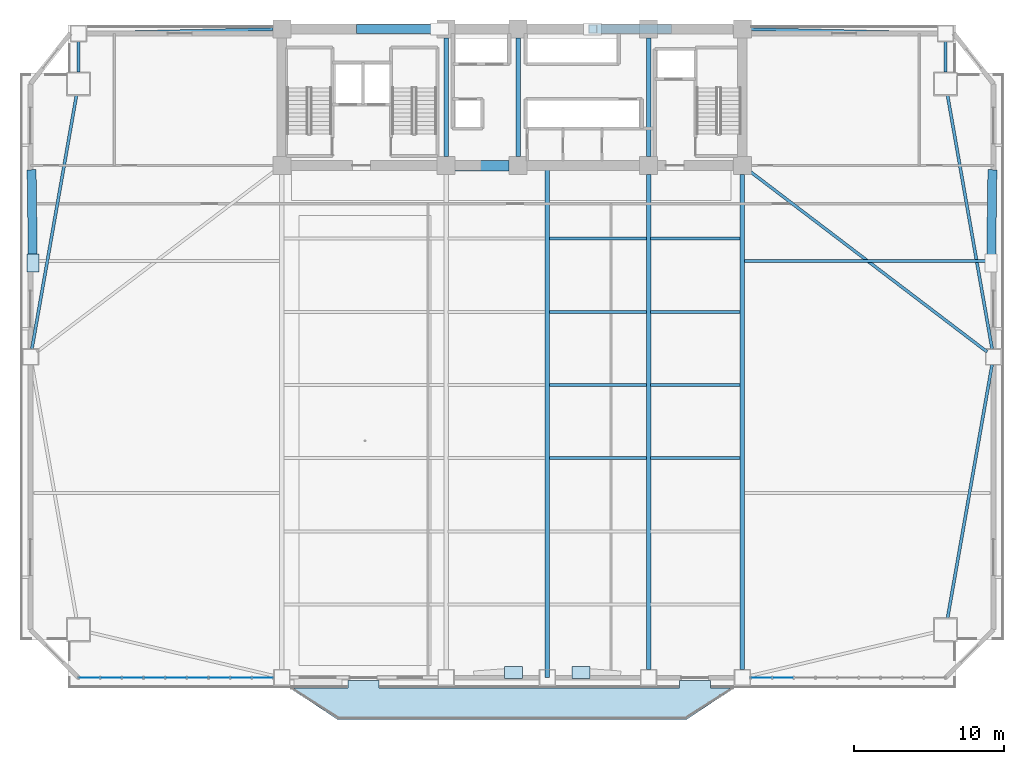
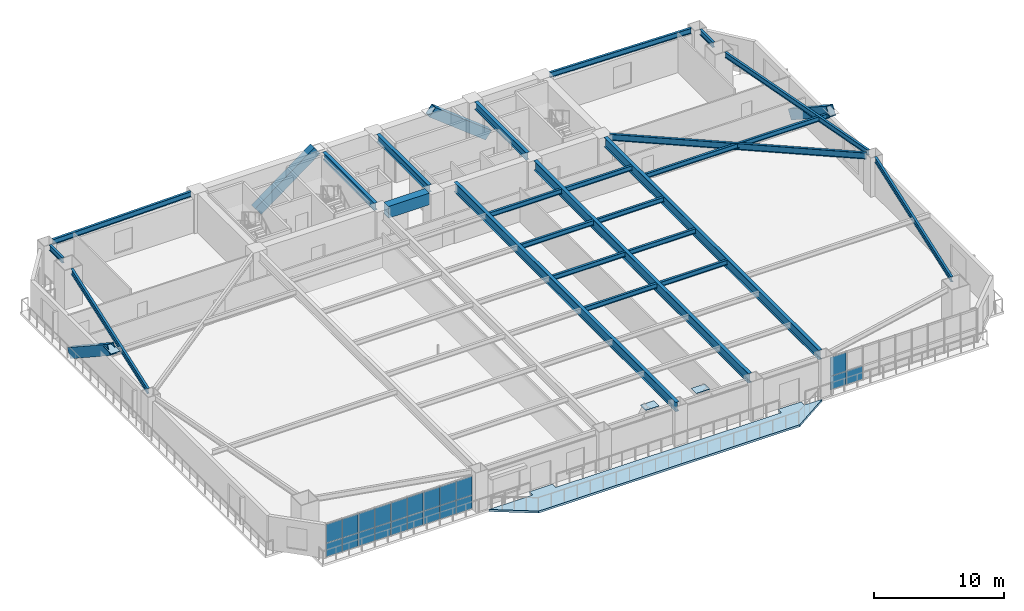
# One storey, part 7 of 17: 24 beams, 24 plates, 4 members, 1 slab, 2 elements without a shape of their own.
"""IFC4 building model written with IfcOpenShell, lengths in metres."""

import ifcopenshell
import ifcopenshell.guid

model = None  # the IFC model being written
_history = None  # IfcOwnerHistory: only IFC2X3 demands one
_inside = {}  # id of a spatial element -> (the spatial element, [elements in it])
_under = {}  # id of a project, library or spatial element -> (it, [spatial elements below it])
_declared = {}  # id of a project -> (the project, [libraries it declares])
_typed = {}  # id of a type object -> (the type object, [elements of that type])
_made_of = {}  # id of a material, layer set ... -> (it, [elements and type objects made of it])


def new_model(schema):
    """Start an empty IFC model of exactly this schema.

    Asked for "IFC4X3", IfcOpenShell would pick the latest addendum, in which some entities
    have other attributes; the version numbers below select the first issue.
    IFC2X3 requires an IfcOwnerHistory on every rooted entity: one is made here for all.
    """
    global model, _history
    if schema == "IFC4X3":
        model = ifcopenshell.file(schema_version=(4, 3, 0, 0))
    else:
        model = ifcopenshell.file(schema=schema)
    _inside.clear()
    _under.clear()
    _declared.clear()
    _typed.clear()
    _made_of.clear()
    _history = None
    if model.schema == "IFC2X3":
        org = make("IfcOrganization", Name="unknown")
        user = make(
            "IfcPersonAndOrganization",
            ThePerson=make("IfcPerson", FamilyName="unknown"),
            TheOrganization=org,
        )
        app = make(
            "IfcApplication",
            ApplicationDeveloper=org,
            Version="unknown",
            ApplicationFullName="unknown",
            ApplicationIdentifier="unknown",
        )
        _history = make(
            "IfcOwnerHistory",
            OwningUser=user,
            OwningApplication=app,
            ChangeAction="ADDED",
            CreationDate=0,
        )
    return model


def make(cls, **values):
    """One entity of the class cls with the attributes given. An attribute that is None is left unset."""
    return model.create_entity(
        cls, **{name: value for name, value in values.items() if value is not None}
    )


def rooted(cls, **values):
    """An entity with a GlobalId (a new one), such as an element, a storey or a relation."""
    return make(cls, GlobalId=ifcopenshell.guid.new(), OwnerHistory=_history, **values)


def si_unit(unit_type, name, prefix=None):
    """IfcSIUnit, for example si_unit("LENGTHUNIT", "METRE", prefix="MILLI")."""
    return make("IfcSIUnit", UnitType=unit_type, Prefix=prefix, Name=name)


def assignment(units):
    """IfcUnitAssignment: the units of a project."""
    return None if units is None else make("IfcUnitAssignment", Units=units)


def point(xyz):
    """IfcCartesianPoint."""
    return None if xyz is None else make("IfcCartesianPoint", Coordinates=xyz)


def direction(xyz):
    """IfcDirection."""
    return None if xyz is None else make("IfcDirection", DirectionRatios=xyz)


def frame(location, z_axis=None, x_axis=None):
    """IfcAxis2Placement3D, a coordinate frame: its origin and axes. An axis left out is left unset."""
    return make(
        "IfcAxis2Placement3D",
        Location=point(location),
        Axis=direction(z_axis),
        RefDirection=direction(x_axis),
    )


def frame_2d(location, x_axis=None):
    """IfcAxis2Placement2D, a coordinate frame in the plane: its origin and x axis."""
    return make(
        "IfcAxis2Placement2D", Location=point(location), RefDirection=direction(x_axis)
    )


def origin():
    """The frame at (0, 0, 0) with its axes left unset."""
    return frame((0.0, 0.0, 0.0))


def origin_2d():
    """The frame at (0, 0) in the plane with its x axis left unset."""
    return frame_2d((0.0, 0.0))


def place(relative_to, where):
    """IfcLocalPlacement: puts the frame where relative to a parent placement (None: the world)."""
    return make(
        "IfcLocalPlacement", PlacementRelTo=relative_to, RelativePlacement=where
    )


def context(
    kind, dimensions, precision=None, world=None, true_north=None, identifier=None
):
    """IfcGeometricRepresentationContext, for example the 3D "Model" context."""
    return make(
        "IfcGeometricRepresentationContext",
        ContextIdentifier=identifier,
        ContextType=kind,
        CoordinateSpaceDimension=dimensions,
        Precision=precision,
        WorldCoordinateSystem=world,
        TrueNorth=true_north,
    )


def subcontext(parent, identifier, kind, view, scale=None):
    """IfcGeometricRepresentationSubContext, for example "Body" below "Model"."""
    return make(
        "IfcGeometricRepresentationSubContext",
        ContextIdentifier=identifier,
        ContextType=kind,
        ParentContext=parent,
        TargetScale=scale,
        TargetView=view,
    )


def project(units=None, contexts=None):
    """IfcProject with its units and contexts."""
    return rooted(
        "IfcProject",
        Name="project",
        RepresentationContexts=contexts,
        UnitsInContext=assignment(units),
    )


def spatial(cls, under=None, at=None, **own):
    """A site, building, storey or space (cls), placed at a placement, below another one or the project."""
    s = rooted(cls, ObjectPlacement=at, **own)
    if under is not None:
        _under.setdefault(under.id(), (under, []))[1].append(s)
    return s


def polyline(points):
    """IfcPolyline through the points."""
    return make("IfcPolyline", Points=[point(p) for p in points])


def profile(cls, at=None, kind="AREA", **sizes):
    """A parametric profile (cls). Its sizes go by their IFC names, for example OverallWidth=200.0."""
    return make(cls, ProfileType=kind, Position=at, **sizes)


def rectangle(**sizes):
    """IfcRectangleProfileDef."""
    return profile("IfcRectangleProfileDef", **sizes)


def hollow_rectangle(**sizes):
    """IfcRectangleHollowProfileDef."""
    return profile("IfcRectangleHollowProfileDef", **sizes)


def i_section(**sizes):
    """IfcIShapeProfileDef."""
    return profile("IfcIShapeProfileDef", **sizes)


def outline(outer, holes=None, kind="AREA"):
    """IfcArbitraryClosedProfileDef: a profile drawn as a closed curve; with holes, ...WithVoids."""
    if holes is None:
        return make("IfcArbitraryClosedProfileDef", ProfileType=kind, OuterCurve=outer)
    return make(
        "IfcArbitraryProfileDefWithVoids",
        ProfileType=kind,
        OuterCurve=outer,
        InnerCurves=holes,
    )


def extrude(swept, where, along, depth):
    """IfcExtrudedAreaSolid: the profile swept, set in the frame where, extruded along a direction by depth."""
    return make(
        "IfcExtrudedAreaSolid",
        SweptArea=swept,
        Position=where,
        ExtrudedDirection=direction(along),
        Depth=depth,
    )


def shape(context_of_items, identifier, shape_type, items):
    """IfcShapeRepresentation: the items that make up one representation, for example the "Body"."""
    return make(
        "IfcShapeRepresentation",
        ContextOfItems=context_of_items,
        RepresentationIdentifier=identifier,
        RepresentationType=shape_type,
        Items=items,
    )


def source(mapping_origin, context_of_items, identifier, shape_type, items):
    """IfcRepresentationMap: a shape defined once, which mapped items show again and again."""
    return make(
        "IfcRepresentationMap",
        MappingOrigin=mapping_origin,
        MappedRepresentation=shape(context_of_items, identifier, shape_type, items),
    )


def transform(
    local_origin,
    x_axis=None,
    y_axis=None,
    z_axis=None,
    scale=None,
    scale2=None,
    scale3=None,
    uniform=True,
):
    """IfcCartesianTransformationOperator3D, or its non-uniform kind. x_axis, y_axis, z_axis: its Axis1, 2, 3."""
    if uniform:
        return make(
            "IfcCartesianTransformationOperator3D",
            Axis1=direction(x_axis),
            Axis2=direction(y_axis),
            LocalOrigin=point(local_origin),
            Scale=scale,
            Axis3=direction(z_axis),
        )
    return make(
        "IfcCartesianTransformationOperator3DnonUniform",
        Axis1=direction(x_axis),
        Axis2=direction(y_axis),
        LocalOrigin=point(local_origin),
        Scale=scale,
        Axis3=direction(z_axis),
        Scale2=scale2,
        Scale3=scale3,
    )


def mapped(mapping_source, mapping_target):
    """IfcMappedItem: shows the shape of a source again, moved by a transform."""
    return make(
        "IfcMappedItem", MappingSource=mapping_source, MappingTarget=mapping_target
    )


def material(Name=None, Category=None):
    """IfcMaterial."""
    return make("IfcMaterial", Name=Name, Category=Category)


def layer(
    of_material, thickness, ventilated=None, Name=None, Category=None, Priority=None
):
    """IfcMaterialLayer: one layer of a wall or slab, of a material (None: an air gap)."""
    return make(
        "IfcMaterialLayer",
        Material=of_material,
        LayerThickness=thickness,
        IsVentilated=ventilated,
        Name=Name,
        Category=Category,
        Priority=Priority,
    )


def layer_set(layers, Name=None):
    """IfcMaterialLayerSet."""
    return make("IfcMaterialLayerSet", MaterialLayers=layers, LayerSetName=Name)


def material_profile(
    of_material, cross_section, Name=None, Category=None, Priority=None
):
    """IfcMaterialProfile: a cross section and its material."""
    return make(
        "IfcMaterialProfile",
        Name=Name,
        Material=of_material,
        Profile=cross_section,
        Priority=Priority,
        Category=Category,
    )


def profile_set(profiles, Name=None, composite=None):
    """IfcMaterialProfileSet."""
    return make(
        "IfcMaterialProfileSet",
        Name=Name,
        MaterialProfiles=profiles,
        CompositeProfile=composite,
    )


def made_of(thing, what):
    """Note that an element or type object is made of a material, layer set ...; save() writes the relation."""
    if what is not None:
        _made_of.setdefault(what.id(), (what, []))[1].append(thing)
    return thing


def type_object(cls, material=None, **own):
    """A type object (cls), such as IfcWallType, which elements share."""
    return made_of(rooted(cls, **own), material)


def element(
    cls,
    number,
    at=None,
    inside=None,
    cuts=None,
    type_object=None,
    material=None,
    context=None,
    identifier="Body",
    shape_type=None,
    held_by="IfcProductDefinitionShape",
    body=None,
    shapes=None,
    **own,
):
    """One element of the class cls, such as IfcWall. Its Tag is "e" and its number.

    at: its placement. inside: the storey or other place that contains it. cuts: it is an
    opening in that element (IfcRelVoidsElement). A single representation is given by context,
    identifier, shape_type and body (its items); several are given by shapes. held_by: the class
    of the entity that holds the representations. save() writes the other relations.
    """
    e = rooted(cls, Tag="e%d" % number, ObjectPlacement=at, **own)
    if body is not None:
        shapes = [shape(context, identifier, shape_type, body)]
    if shapes is not None:
        e.Representation = make(held_by, Representations=shapes)
    if inside is not None:
        _inside.setdefault(inside.id(), (inside, []))[1].append(e)
    if cuts is not None:
        rooted(
            "IfcRelVoidsElement", RelatingBuildingElement=cuts, RelatedOpeningElement=e
        )
    if type_object is not None:
        _typed.setdefault(type_object.id(), (type_object, []))[1].append(e)
    return made_of(e, material)


def aggregate(whole, parts):
    """IfcRelAggregates: a whole, such as a stair, and the parts it consists of."""
    return rooted("IfcRelAggregates", RelatingObject=whole, RelatedObjects=parts)


def save(model, path):
    """Write the relations noted so far, then the file.

    IfcRelAggregates (storeys below a building ...), IfcRelContainedInSpatialStructure (elements
    in a storey), IfcRelDefinesByType, IfcRelAssociatesMaterial and IfcRelDeclares: one each for
    every whole, place, type object, material and project.
    """
    for whole, parts in _under.values():
        aggregate(whole, parts)
    for where, things in _inside.values():
        rooted(
            "IfcRelContainedInSpatialStructure",
            RelatedElements=things,
            RelatingStructure=where,
        )
    for kind, things in _typed.values():
        rooted("IfcRelDefinesByType", RelatedObjects=things, RelatingType=kind)
    for what, things in _made_of.values():
        rooted("IfcRelAssociatesMaterial", RelatedObjects=things, RelatingMaterial=what)
    for by, libraries in _declared.values():
        rooted("IfcRelDeclares", RelatingContext=by, RelatedDefinitions=libraries)
    model.write(path)


model = new_model("IFC4")

# Units and contexts
model_context = context("Model", 3, precision=1e-05, world=origin(), true_north=direction((0.0, 1.0)))
body_context = subcontext(model_context, "Body", "Model", "MODEL_VIEW")
ifc_project = project(units=[si_unit("LENGTHUNIT", "METRE"), si_unit("AREAUNIT", "SQUARE_METRE"), si_unit("VOLUMEUNIT", "CUBIC_METRE"), si_unit("PLANEANGLEUNIT", "RADIAN"), si_unit("MASSUNIT", "GRAM", prefix="KILO")], contexts=[model_context])

# Site, building, storey
site_placement = place(None, origin())
site = spatial("IfcSite", under=ifc_project, at=site_placement, CompositionType="ELEMENT")
building_placement = place(site_placement, origin())
building = spatial("IfcBuilding", under=site, at=building_placement, Name="Giltprow Tower", CompositionType="ELEMENT")
storey_placement = place(building_placement, frame((0.0, 0.0, 29.300048828125)))
storey = spatial("IfcBuildingStorey", under=building, at=storey_placement, Name="L07", CompositionType="ELEMENT", Elevation=29.300048828125)

# Beams
ifc_material_1 = material(Name="Concrete C60", Category="concrete")
ifc_material_profile_1 = material_profile(ifc_material_1, rectangle(XDim=0.699951171875, YDim=1.10009765625, at=origin_2d()), Name="RC 1100x700")
ifc_profile_set_1 = profile_set([ifc_material_profile_1], Name="Concrete C60")
beam_type_1 = type_object("IfcBeamType", Name="BM-CPL-RC1100", PredefinedType="LINTEL", material=ifc_profile_set_1)
shared_shape_1 = source(origin(), body_context, "Body", "SweptSolid", [
    extrude(rectangle(XDim=0.699951171875, YDim=1.10009765625, at=origin_2d()), origin(), (0.0, 0.0, 1.0), 3.6298828125),
])
beam_1_placement = place(storey_placement, frame((31.385009765625, 37.449951171875, 3.1298828125), z_axis=(1.0, 0.0, 0.0), x_axis=(0.0, 1.0, 0.0)))
element("IfcBeam", 1, at=beam_1_placement, inside=storey, type_object=beam_type_1, Name="L07 Core Coupling Beam CB-1", PredefinedType="LINTEL", context=body_context, shape_type="MappedRepresentation", body=[
    mapped(shared_shape_1, transform((0.0, 0.0, 0.0), x_axis=(1.0, 0.0, 0.0), y_axis=(0.0, 1.0, 0.0), z_axis=(0.0, 0.0, 1.0), scale=1.0)),
])
ifc_material_2 = material(Name="Structural steel Q355B", Category="steel")
ifc_material_profile_2 = material_profile(ifc_material_2, i_section(OverallWidth=0.300048828125, OverallDepth=0.699951171875, WebThickness=0.012939453125, FlangeThickness=0.02392578125, at=origin_2d()), Name="HN 700x300x13x24")
ifc_profile_set_2 = profile_set([ifc_material_profile_2], Name="Structural steel Q355B")
beam_type_2 = type_object("IfcBeamType", Name="BM-GIRD-HN700", PredefinedType="BEAM", material=ifc_profile_set_2)
shared_shape_2 = source(origin(), body_context, "Body", "SweptSolid", [
    extrude(i_section(OverallWidth=0.300048828125, OverallDepth=0.699951171875, WebThickness=0.012939453125, FlangeThickness=0.02392578125, at=origin_2d()), origin(), (0.0, 0.0, 1.0), 7.93017578125),
])
for number, where, z_axis, x_axis, name in (
    (2, (30.800048828125, 38.034912109375, 3.329833984375), (0.0, 1.0, 0.0), (-1.0, 0.0, 0.0), "L07 Core Tie Girder M1"),
    (3, (35.60009765625, 38.034912109375, 3.329833984375), (0.0, 1.0, 0.0), (-1.0, 0.0, 0.0), "L07 Core Tie Girder M2"),
    (4, (44.300048828125, 38.034912109375, 3.329833984375), (0.0, 1.0, 0.0), (-1.0, 0.0, 0.0), "L07 Core Tie Girder M3"),
):
    element("IfcBeam", number, at=place(storey_placement, frame(where, z_axis=z_axis, x_axis=x_axis)), inside=storey, type_object=beam_type_2, Name=name, PredefinedType="BEAM", context=body_context, shape_type="MappedRepresentation", body=[
        mapped(shared_shape_2, transform((0.0, 0.0, 0.0), x_axis=(1.0, 0.0, 0.0), y_axis=(0.0, 1.0, 0.0), z_axis=(0.0, 0.0, 1.0), scale=1.0)),
    ])
ifc_material_profile_3 = material_profile(ifc_material_2, i_section(OverallWidth=0.199951171875, OverallDepth=0.5, WebThickness=0.010009765625, FlangeThickness=0.01611328125, at=origin_2d()), Name="HN 500x200x10x16")
ifc_profile_set_3 = profile_set([ifc_material_profile_3], Name="Structural steel Q355B")
beam_type_3 = type_object("IfcBeamType", Name="BM-SPAN-HN500", PredefinedType="SPANDREL", material=ifc_profile_set_3)
shared_shape_3 = source(origin(), body_context, "Body", "SweptSolid", [
    extrude(i_section(OverallWidth=0.199951171875, OverallDepth=0.5, WebThickness=0.010009765625, FlangeThickness=0.01611328125, at=origin_2d()), origin(), (0.0, 0.0, 1.0), 17.1591796875),
])
beam_2_placement = place(storey_placement, frame((64.236083984375, 7.27294921875, 3.429931640625), z_axis=(0.173139216532, 0.984897360997, 0.0), x_axis=(-0.984897360997, 0.173139216532, 0.0)))
element("IfcBeam", 5, at=beam_2_placement, inside=storey, type_object=beam_type_3, Name="L07 Perimeter Spandrel Beam MC_SE-E_MID", PredefinedType="SPANDREL", context=body_context, shape_type="MappedRepresentation", body=[
    mapped(shared_shape_3, transform((0.0, 0.0, 0.0), x_axis=(1.0, 0.0, 0.0), y_axis=(0.0, 1.0, 0.0), z_axis=(0.0, 0.0, 1.0), scale=1.0)),
])
shared_shape_4 = source(origin(), body_context, "Body", "SweptSolid", [
    extrude(i_section(OverallWidth=0.199951171875, OverallDepth=0.5, WebThickness=0.010009765625, FlangeThickness=0.01611328125, at=origin_2d()), origin(), (0.0, 0.0, 1.0), 17.158935546875),
])
for number, where, z_axis, x_axis, name in (
    (6, (67.20703125, 25.22705078125, 3.429931640625), (-0.173141642767, 0.984896934476, 0.0), (-0.984896934476, -0.173141642767, 0.0), "L07 Perimeter Spandrel Beam E_MID-MC_NE"),
    (7, (6.1640625, 42.126953125, 3.429931640625), (-0.173141642767, -0.984896934476, 0.0), (0.984896934476, -0.173141642767, 0.0), "L07 Perimeter Spandrel Beam MC_NW-W_MID"),
):
    element("IfcBeam", number, at=place(storey_placement, frame(where, z_axis=z_axis, x_axis=x_axis)), inside=storey, type_object=beam_type_3, Name=name, PredefinedType="SPANDREL", context=body_context, shape_type="MappedRepresentation", body=[
        mapped(shared_shape_4, transform((0.0, 0.0, 0.0), x_axis=(1.0, 0.0, 0.0), y_axis=(0.0, 1.0, 0.0), z_axis=(0.0, 0.0, 1.0), scale=1.0)),
    ])
shared_shape_5 = source(origin(), body_context, "Body", "SweptSolid", [
    extrude(i_section(OverallWidth=0.199951171875, OverallDepth=0.5, WebThickness=0.010009765625, FlangeThickness=0.01611328125, at=origin_2d()), origin(), (0.0, 0.0, 1.0), 2.030029296875),
])
for number, where, z_axis, x_axis, name in (
    (8, (64.10009765625, 43.68505859375, 3.429931640625), (0.0, 1.0, 0.0), (-1.0, 0.0, 0.0), "L07 Perimeter Spandrel Beam MC_NE-N_E"),
    (9, (6.300048828125, 45.715087890625, 3.429931640625), (0.0, -1.0, 0.0), (1.0, 0.0, 0.0), "L07 Perimeter Spandrel Beam N_W-MC_NW"),
):
    element("IfcBeam", number, at=place(storey_placement, frame(where, z_axis=z_axis, x_axis=x_axis)), inside=storey, type_object=beam_type_3, Name=name, PredefinedType="SPANDREL", context=body_context, shape_type="MappedRepresentation", body=[
        mapped(shared_shape_5, transform((0.0, 0.0, 0.0), x_axis=(1.0, 0.0, 0.0), y_axis=(0.0, 1.0, 0.0), z_axis=(0.0, 0.0, 1.0), scale=1.0)),
    ])
shared_shape_6 = source(origin(), body_context, "Body", "SweptSolid", [
    extrude(i_section(OverallWidth=0.199951171875, OverallDepth=0.5, WebThickness=0.010009765625, FlangeThickness=0.01611328125, at=origin_2d()), origin(), (0.0, 0.0, 1.0), 12.432861328125),
])
for number, where, z_axis, x_axis, name in (
    (10, (6.8349609375, 46.261962890625, 3.429931640625), (0.999755093171, 0.022130379078, 0.0), (-0.022130379078, 0.999755093171, 0.0), "L07 North Wing Spandrel W"),
    (11, (51.135009765625, 46.537109375, 3.429931640625), (0.999755093171, -0.022130379078, 0.0), (0.022130379078, 0.999755093171, 0.0), "L07 North Wing Spandrel E"),
):
    element("IfcBeam", number, at=place(storey_placement, frame(where, z_axis=z_axis, x_axis=x_axis)), inside=storey, type_object=beam_type_3, Name=name, PredefinedType="SPANDREL", context=body_context, shape_type="MappedRepresentation", body=[
        mapped(shared_shape_6, transform((0.0, 0.0, 0.0), x_axis=(1.0, 0.0, 0.0), y_axis=(0.0, 1.0, 0.0), z_axis=(0.0, 0.0, 1.0), scale=1.0)),
    ])
ifc_material_profile_4 = material_profile(ifc_material_2, i_section(OverallWidth=0.300048828125, OverallDepth=0.89990234375, WebThickness=0.01611328125, FlangeThickness=0.028076171875, at=origin_2d()), Name="HN 900x300x16x28")
ifc_profile_set_4 = profile_set([ifc_material_profile_4], Name="Structural steel Q355B")
beam_type_4 = type_object("IfcBeamType", Name="BM-GIRD-HN900", PredefinedType="BEAM", material=ifc_profile_set_4)
shared_shape_7 = source(origin(), body_context, "Body", "SweptSolid", [
    extrude(i_section(OverallWidth=0.300048828125, OverallDepth=0.89990234375, WebThickness=0.01611328125, FlangeThickness=0.028076171875, at=origin_2d()), origin(), (0.0, 0.0, 1.0), 33.030029296875),
])
for number, where, z_axis, x_axis, name in (
    (12, (44.300048828125, 3.8349609375, 3.22998046875), (0.0, 1.0, 0.0), (-1.0, 0.0, 0.0), "L07 Primary Lease Girder S3"),
    (13, (50.550048828125, 3.8349609375, 3.22998046875), (0.0, 1.0, 0.0), (-1.0, 0.0, 0.0), "L07 Primary Lease Girder S4"),
):
    element("IfcBeam", number, at=place(storey_placement, frame(where, z_axis=z_axis, x_axis=x_axis)), inside=storey, type_object=beam_type_4, Name=name, PredefinedType="BEAM", context=body_context, shape_type="MappedRepresentation", body=[
        mapped(shared_shape_7, transform((0.0, 0.0, 0.0), x_axis=(1.0, 0.0, 0.0), y_axis=(0.0, 1.0, 0.0), z_axis=(0.0, 0.0, 1.0), scale=1.0)),
    ])
shared_shape_8 = source(origin(), body_context, "Body", "SweptSolid", [
    extrude(i_section(OverallWidth=0.300048828125, OverallDepth=0.89990234375, WebThickness=0.01611328125, FlangeThickness=0.028076171875, at=origin_2d()), origin(), (0.0, 0.0, 1.0), 34.14990234375),
])
beam_3_placement = place(storey_placement, frame((37.550048828125, 3.300048828125, 3.22998046875), z_axis=(0.0, 1.0, 0.0), x_axis=(-1.0, 0.0, 0.0)))
element("IfcBeam", 14, at=beam_3_placement, inside=storey, type_object=beam_type_4, Name="L07 Central Lease Girder SMID", PredefinedType="BEAM", context=body_context, shape_type="MappedRepresentation", body=[
    mapped(shared_shape_8, transform((0.0, 0.0, 0.0), x_axis=(1.0, 0.0, 0.0), y_axis=(0.0, 1.0, 0.0), z_axis=(0.0, 0.0, 1.0), scale=1.0)),
])
ifc_material_profile_5 = material_profile(ifc_material_2, i_section(OverallWidth=0.199951171875, OverallDepth=0.60009765625, WebThickness=0.010986328125, FlangeThickness=0.01708984375, at=origin_2d()), Name="HN 600x200x11x17")
ifc_profile_set_5 = profile_set([ifc_material_profile_5], Name="Structural steel Q355B")
beam_type_5 = type_object("IfcBeamType", Name="BM-GIRD-HN600", PredefinedType="BEAM", material=ifc_profile_set_5)
shared_shape_9 = source(origin(), body_context, "Body", "SweptSolid", [
    extrude(i_section(OverallWidth=0.199951171875, OverallDepth=0.60009765625, WebThickness=0.010986328125, FlangeThickness=0.01708984375, at=origin_2d()), origin(), (0.0, 0.0, 1.0), 19.930908203125),
])
beam_4_placement = place(storey_placement, frame((66.8740234375, 25.02392578125, 3.3798828125), z_axis=(-0.795700739064, 0.605689965124, 0.0), x_axis=(-0.605689965124, -0.795700739064, 0.0)))
element("IfcBeam", 15, at=beam_4_placement, inside=storey, type_object=beam_type_5, Name="L07 East Wing Primary Girder", PredefinedType="BEAM", context=body_context, shape_type="MappedRepresentation", body=[
    mapped(shared_shape_9, transform((0.0, 0.0, 0.0), x_axis=(1.0, 0.0, 0.0), y_axis=(0.0, 1.0, 0.0), z_axis=(0.0, 0.0, 1.0), scale=1.0)),
])
ifc_material_profile_6 = material_profile(ifc_material_2, i_section(OverallWidth=0.199951171875, OverallDepth=0.449951171875, WebThickness=0.009033203125, FlangeThickness=0.013916015625, at=origin_2d()), Name="HN 450x200x9x14")
ifc_profile_set_6 = profile_set([ifc_material_profile_6], Name="Structural steel Q355B")
beam_type_6 = type_object("IfcBeamType", Name="BM-JOIST-HN450", PredefinedType="JOIST", material=ifc_profile_set_6)
shared_shape_10 = source(origin(), body_context, "Body", "SweptSolid", [
    extrude(i_section(OverallWidth=0.199951171875, OverallDepth=0.449951171875, WebThickness=0.009033203125, FlangeThickness=0.013916015625, at=origin_2d()), origin(), (0.0, 0.0, 1.0), 6.4599609375),
])
for number, where, z_axis, x_axis, name in (
    (16, (37.695068359375, 17.93603515625, 3.454833984375), (1.0, 0.0, 0.0), (0.0, 1.0, 0.0), "L07 Composite Floor Joist 3-3"),
    (17, (37.695068359375, 22.81396484375, 3.454833984375), (1.0, 0.0, 0.0), (0.0, 1.0, 0.0), "L07 Composite Floor Joist 4-3"),
    (18, (37.695068359375, 27.693115234375, 3.454833984375), (1.0, 0.0, 0.0), (0.0, 1.0, 0.0), "L07 Composite Floor Joist 5-3"),
    (19, (37.695068359375, 32.571044921875, 3.454833984375), (1.0, 0.0, 0.0), (0.0, 1.0, 0.0), "L07 Composite Floor Joist 6-3"),
):
    element("IfcBeam", number, at=place(storey_placement, frame(where, z_axis=z_axis, x_axis=x_axis)), inside=storey, type_object=beam_type_6, Name=name, PredefinedType="JOIST", context=body_context, shape_type="MappedRepresentation", body=[
        mapped(shared_shape_10, transform((0.0, 0.0, 0.0), x_axis=(1.0, 0.0, 0.0), y_axis=(0.0, 1.0, 0.0), z_axis=(0.0, 0.0, 1.0), scale=1.0)),
    ])
shared_shape_11 = source(origin(), body_context, "Body", "SweptSolid", [
    extrude(i_section(OverallWidth=0.199951171875, OverallDepth=0.449951171875, WebThickness=0.009033203125, FlangeThickness=0.013916015625, at=origin_2d()), origin(), (0.0, 0.0, 1.0), 5.9599609375),
])
for number, where, z_axis, x_axis, name in (
    (20, (44.445068359375, 17.93603515625, 3.454833984375), (1.0, 0.0, 0.0), (0.0, 1.0, 0.0), "L07 Composite Floor Joist 3-4"),
    (21, (44.445068359375, 22.81396484375, 3.454833984375), (1.0, 0.0, 0.0), (0.0, 1.0, 0.0), "L07 Composite Floor Joist 4-4"),
    (22, (44.445068359375, 27.693115234375, 3.454833984375), (1.0, 0.0, 0.0), (0.0, 1.0, 0.0), "L07 Composite Floor Joist 5-4"),
    (23, (44.445068359375, 32.571044921875, 3.454833984375), (1.0, 0.0, 0.0), (0.0, 1.0, 0.0), "L07 Composite Floor Joist 6-4"),
):
    element("IfcBeam", number, at=place(storey_placement, frame(where, z_axis=z_axis, x_axis=x_axis)), inside=storey, type_object=beam_type_6, Name=name, PredefinedType="JOIST", context=body_context, shape_type="MappedRepresentation", body=[
        mapped(shared_shape_11, transform((0.0, 0.0, 0.0), x_axis=(1.0, 0.0, 0.0), y_axis=(0.0, 1.0, 0.0), z_axis=(0.0, 0.0, 1.0), scale=1.0)),
    ])
shared_shape_12 = source(origin(), body_context, "Body", "SweptSolid", [
    extrude(i_section(OverallWidth=0.199951171875, OverallDepth=0.449951171875, WebThickness=0.009033203125, FlangeThickness=0.013916015625, at=origin_2d()), origin(), (0.0, 0.0, 1.0), 16.385009765625),
])
beam_5_placement = place(storey_placement, frame((50.695068359375, 31.074951171875, 3.454833984375), z_axis=(1.0, 0.0, 0.0), x_axis=(0.0, 1.0, 0.0)))
element("IfcBeam", 24, at=beam_5_placement, inside=storey, type_object=beam_type_6, Name="L07 East Wing Floor Joist 2", PredefinedType="JOIST", context=body_context, shape_type="MappedRepresentation", body=[
    mapped(shared_shape_12, transform((0.0, 0.0, 0.0), x_axis=(1.0, 0.0, 0.0), y_axis=(0.0, 1.0, 0.0), z_axis=(0.0, 0.0, 1.0), scale=1.0)),
])

# Members
ifc_material_3 = material(Name="Structural steel Q420GJC", Category="steel")
ifc_material_profile_7 = material_profile(ifc_material_3, hollow_rectangle(XDim=0.60009765625, YDim=0.89990234375, WallThickness=0.0400390625, at=origin_2d()), Name="RHS 900x600x40")
ifc_profile_set_7 = profile_set([ifc_material_profile_7], Name="Structural steel Q420GJC")
member_type = type_object("IfcMemberType", Name="MBR-MEGA-RHS900", PredefinedType="BRACE", material=ifc_profile_set_7)
shared_shape_13 = source(origin(), body_context, "Body", "SweptSolid", [
    extrude(hollow_rectangle(XDim=0.60009765625, YDim=0.89990234375, WallThickness=0.0400390625, at=origin_2d()), origin(), (0.0, 0.0, 1.0), 6.5400390625),
])
member_1_placement = place(storey_placement, frame((25.10009765625, 46.550048828125, -0.14013671875), z_axis=(0.802733126154, 0.0, 0.596338434259), x_axis=(0.0, 1.0, 0.0)))
element("IfcMember", 25, at=member_1_placement, inside=storey, type_object=member_type, Name="L07 Chevron Mega-Brace N-L", PredefinedType="BRACE", context=body_context, shape_type="MappedRepresentation", body=[
    mapped(shared_shape_13, transform((0.0, 0.0, 0.0), x_axis=(1.0, 0.0, 0.0), y_axis=(0.0, 1.0, 0.0), z_axis=(0.0, 0.0, 1.0), scale=1.0)),
])
shared_shape_14 = source(origin(), body_context, "Body", "SweptSolid", [
    extrude(hollow_rectangle(XDim=0.60009765625, YDim=0.89990234375, WallThickness=0.0400390625, at=origin_2d()), origin(), (0.0, 0.0, 1.0), 7.138916015625),
])
for number, where, z_axis, x_axis, name in (
    (26, (3.177978515625, 36.9208984375, 0.0), (0.011080347501, -0.837523797194, 0.546288490665), (0.999912496495, 0.013228732089, 0.0), "L07 Chevron Mega-Brace W-R"),
    (27, (67.221923828125, 36.9208984375, 0.0), (-0.011046153077, -0.837524114069, 0.546288697352), (0.999913035736, -0.013187909781, 0.0), "L07 Chevron Mega-Brace E-R"),
):
    element("IfcMember", number, at=place(storey_placement, frame(where, z_axis=z_axis, x_axis=x_axis)), inside=storey, type_object=member_type, Name=name, PredefinedType="BRACE", context=body_context, shape_type="MappedRepresentation", body=[
        mapped(shared_shape_14, transform((0.0, 0.0, 0.0), x_axis=(1.0, 0.0, 0.0), y_axis=(0.0, 1.0, 0.0), z_axis=(0.0, 0.0, 1.0), scale=1.0)),
    ])
shared_shape_15 = source(origin(), body_context, "Body", "SweptSolid", [
    extrude(hollow_rectangle(XDim=0.60009765625, YDim=0.89990234375, WallThickness=0.0400390625, at=origin_2d()), origin(), (0.0, 0.0, 1.0), 6.32861328125),
])
member_2_placement = place(storey_placement, frame((45.56689453125, 46.550048828125, -0.14013671875), z_axis=(-0.787526980349, 0.0, 0.616280175912), x_axis=(0.0, -1.0, 0.0)))
element("IfcMember", 28, at=member_2_placement, inside=storey, type_object=member_type, Name="L07 Chevron Mega-Brace N-R", PredefinedType="BRACE", context=body_context, shape_type="MappedRepresentation", body=[
    mapped(shared_shape_15, transform((0.0, 0.0, 0.0), x_axis=(1.0, 0.0, 0.0), y_axis=(0.0, 1.0, 0.0), z_axis=(0.0, 0.0, 1.0), scale=1.0)),
])

# Slab
ifc_material_4 = material(Name="Concrete C40", Category="concrete")
ifc_layer_1 = layer(ifc_material_4, 0.199951171875, Name="Concrete C40")
ifc_layer_set_1 = layer_set([ifc_layer_1], Name="Concrete C40")
slab_type = type_object("IfcSlabType", Name="SLB-BALC-BRONZE-200", PredefinedType="FLOOR", material=ifc_layer_set_1)
slab_placement = place(storey_placement, frame((0.0, 0.0, -0.199951171875)))
element("IfcSlab", 29, at=slab_placement, inside=storey, type_object=slab_type, Name="L07 Bronze Prow Waterfront Balcony Slab", PredefinedType="FLOOR", context=body_context, shape_type="SweptSolid", body=[
    extrude(outline(polyline([(50.0, 2.60009765625), (46.800048828125, 0.5), (23.60009765625, 0.5), (20.39990234375, 2.60009765625), (24.280029296875, 2.60009765625), (24.280029296875, 3.10009765625), (26.320068359375, 3.10009765625), (26.320068359375, 2.60009765625), (46.3798828125, 2.60009765625), (46.3798828125, 3.10009765625), (48.419921875, 3.10009765625), (48.419921875, 2.60009765625), (50.0, 2.60009765625)])), origin(), (0.0, 0.0, 1.0), 0.199951171875),
])

# Plates
plate_type_1 = type_object("IfcPlateType", Name="PLT-CAP-SEAL", PredefinedType="USERDEFINED", material=ifc_material_3)
shared_shape_16 = source(origin(), body_context, "Body", "SweptSolid", [
    extrude(rectangle(XDim=1.199951171875, YDim=0.800048828125, at=origin_2d()), origin(), (0.0, 0.0, 1.0), 0.034912109375),
])
for number, where, z_axis, x_axis, name in (
    (30, (35.300048828125, 3.65087890625, 3.88232421875), (0.0, 0.0, 1.0), (1.0, 0.0, 0.0), "Mega-Brace Node L07-S-LB"),
    (31, (39.800048828125, 3.65087890625, 3.88232421875), (0.0, 0.0, 1.0), (1.0, 0.0, 0.0), "Mega-Brace Node L07-S-RB"),
    (32, (3.257080078125, 30.94189453125, 3.88232421875), (0.0, 0.0, 1.0), (0.0, 1.0, 0.0), "Mega-Brace Node L07-W-RB"),
):
    element("IfcPlate", number, at=place(storey_placement, frame(where, z_axis=z_axis, x_axis=x_axis)), inside=storey, type_object=plate_type_1, Name=name, ObjectType="SPLICE", PredefinedType="USERDEFINED", context=body_context, shape_type="MappedRepresentation", body=[
        mapped(shared_shape_16, transform((0.0, 0.0, 0.0), x_axis=(1.0, 0.0, 0.0), y_axis=(0.0, 1.0, 0.0), z_axis=(0.0, 0.0, 1.0), scale=1.0)),
    ])

# Curtain wall, plates
ifc_material_5 = material(Name="Anodized bronze", Category="metal")
ifc_layer_2 = layer(ifc_material_5, 0.179931640625, Name="Anodized bronze")
ifc_layer_set_2 = layer_set([ifc_layer_2], Name="Anodized bronze")
curtain_wall_type = type_object("IfcCurtainWallType", Name="CW-OFF-RECESSED", PredefinedType="NOTDEFINED", material=ifc_layer_set_2)
curtain_wall_1_placement = place(storey_placement, origin())
curtain_wall_1 = element("IfcCurtainWall", 33, at=curtain_wall_1_placement, inside=storey, type_object=curtain_wall_type, Name="L07 South Recessed Curtain Wall 1", PredefinedType="NOTDEFINED")
ifc_material_6 = material(Name="Insulated glass", Category="glass")
plate_type_2 = type_object("IfcPlateType", Name="CW-PANEL-IGU-28", PredefinedType="CURTAIN_PANEL", material=ifc_material_6)
shared_shape_17 = source(origin(), body_context, "Body", "SweptSolid", [
    extrude(rectangle(XDim=1.4140625, YDim=0.028076171875, at=origin_2d()), origin(), (0.0, 0.0, 1.0), 1.259033203125),
])
plate_1_placement = place(storey_placement, frame((7.02197265625, 3.300048828125, 0.05322265625), z_axis=(0.0, 0.0, 1.0), x_axis=(1.0, 0.0, 0.0)))
plate_1 = element("IfcPlate", 34, at=plate_1_placement, type_object=plate_type_2, Name="L07 South Recessed Curtain Wall 1 Glazing Panel 1-1", PredefinedType="CURTAIN_PANEL", context=body_context, shape_type="MappedRepresentation", body=[
    mapped(shared_shape_17, transform((0.0, 0.0, 0.0), x_axis=(1.0, 0.0, 0.0), y_axis=(0.0, 1.0, 0.0), z_axis=(0.0, 0.0, 1.0), scale=1.0)),
])
plate_2_placement = place(storey_placement, frame((8.467041015625, 3.300048828125, 0.05322265625), z_axis=(0.0, 0.0, 1.0), x_axis=(1.0, 0.0, 0.0)))
plate_2 = element("IfcPlate", 35, at=plate_2_placement, type_object=plate_type_2, Name="L07 South Recessed Curtain Wall 1 Glazing Panel 2-1", PredefinedType="CURTAIN_PANEL", context=body_context, shape_type="MappedRepresentation", body=[
    mapped(shared_shape_17, transform((0.0, 0.0, 0.0), x_axis=(1.0, 0.0, 0.0), y_axis=(0.0, 1.0, 0.0), z_axis=(0.0, 0.0, 1.0), scale=1.0)),
])
plate_3_placement = place(storey_placement, frame((9.910888671875, 3.300048828125, 0.05322265625), z_axis=(0.0, 0.0, 1.0), x_axis=(1.0, 0.0, 0.0)))
plate_3 = element("IfcPlate", 36, at=plate_3_placement, type_object=plate_type_2, Name="L07 South Recessed Curtain Wall 1 Glazing Panel 3-1", PredefinedType="CURTAIN_PANEL", context=body_context, shape_type="MappedRepresentation", body=[
    mapped(shared_shape_17, transform((0.0, 0.0, 0.0), x_axis=(1.0, 0.0, 0.0), y_axis=(0.0, 1.0, 0.0), z_axis=(0.0, 0.0, 1.0), scale=1.0)),
])
plate_4_placement = place(storey_placement, frame((11.35595703125, 3.300048828125, 0.05322265625), z_axis=(0.0, 0.0, 1.0), x_axis=(1.0, 0.0, 0.0)))
plate_4 = element("IfcPlate", 37, at=plate_4_placement, type_object=plate_type_2, Name="L07 South Recessed Curtain Wall 1 Glazing Panel 4-1", PredefinedType="CURTAIN_PANEL", context=body_context, shape_type="MappedRepresentation", body=[
    mapped(shared_shape_17, transform((0.0, 0.0, 0.0), x_axis=(1.0, 0.0, 0.0), y_axis=(0.0, 1.0, 0.0), z_axis=(0.0, 0.0, 1.0), scale=1.0)),
])
plate_5_placement = place(storey_placement, frame((12.800048828125, 3.300048828125, 0.05322265625), z_axis=(0.0, 0.0, 1.0), x_axis=(1.0, 0.0, 0.0)))
plate_5 = element("IfcPlate", 38, at=plate_5_placement, type_object=plate_type_2, Name="L07 South Recessed Curtain Wall 1 Glazing Panel 5-1", PredefinedType="CURTAIN_PANEL", context=body_context, shape_type="MappedRepresentation", body=[
    mapped(shared_shape_17, transform((0.0, 0.0, 0.0), x_axis=(1.0, 0.0, 0.0), y_axis=(0.0, 1.0, 0.0), z_axis=(0.0, 0.0, 1.0), scale=1.0)),
])
plate_6_placement = place(storey_placement, frame((14.243896484375, 3.300048828125, 0.05322265625), z_axis=(0.0, 0.0, 1.0), x_axis=(1.0, 0.0, 0.0)))
plate_6 = element("IfcPlate", 39, at=plate_6_placement, type_object=plate_type_2, Name="L07 South Recessed Curtain Wall 1 Glazing Panel 6-1", PredefinedType="CURTAIN_PANEL", context=body_context, shape_type="MappedRepresentation", body=[
    mapped(shared_shape_17, transform((0.0, 0.0, 0.0), x_axis=(1.0, 0.0, 0.0), y_axis=(0.0, 1.0, 0.0), z_axis=(0.0, 0.0, 1.0), scale=1.0)),
])
plate_7_placement = place(storey_placement, frame((15.68896484375, 3.300048828125, 0.05322265625), z_axis=(0.0, 0.0, 1.0), x_axis=(1.0, 0.0, 0.0)))
plate_7 = element("IfcPlate", 40, at=plate_7_placement, type_object=plate_type_2, Name="L07 South Recessed Curtain Wall 1 Glazing Panel 7-1", PredefinedType="CURTAIN_PANEL", context=body_context, shape_type="MappedRepresentation", body=[
    mapped(shared_shape_17, transform((0.0, 0.0, 0.0), x_axis=(1.0, 0.0, 0.0), y_axis=(0.0, 1.0, 0.0), z_axis=(0.0, 0.0, 1.0), scale=1.0)),
])
plate_8_placement = place(storey_placement, frame((17.133056640625, 3.300048828125, 0.05322265625), z_axis=(0.0, 0.0, 1.0), x_axis=(1.0, 0.0, 0.0)))
plate_8 = element("IfcPlate", 41, at=plate_8_placement, type_object=plate_type_2, Name="L07 South Recessed Curtain Wall 1 Glazing Panel 8-1", PredefinedType="CURTAIN_PANEL", context=body_context, shape_type="MappedRepresentation", body=[
    mapped(shared_shape_17, transform((0.0, 0.0, 0.0), x_axis=(1.0, 0.0, 0.0), y_axis=(0.0, 1.0, 0.0), z_axis=(0.0, 0.0, 1.0), scale=1.0)),
])
plate_9_placement = place(storey_placement, frame((18.577880859375, 3.300048828125, 0.05322265625), z_axis=(0.0, 0.0, 1.0), x_axis=(1.0, 0.0, 0.0)))
plate_9 = element("IfcPlate", 42, at=plate_9_placement, type_object=plate_type_2, Name="L07 South Recessed Curtain Wall 1 Glazing Panel 9-1", PredefinedType="CURTAIN_PANEL", context=body_context, shape_type="MappedRepresentation", body=[
    mapped(shared_shape_17, transform((0.0, 0.0, 0.0), x_axis=(1.0, 0.0, 0.0), y_axis=(0.0, 1.0, 0.0), z_axis=(0.0, 0.0, 1.0), scale=1.0)),
])

curtain_wall_2_placement = place(storey_placement, origin())
curtain_wall_2 = element("IfcCurtainWall", 43, at=curtain_wall_2_placement, inside=storey, type_object=curtain_wall_type, Name="L07 South Recessed Curtain Wall 6", PredefinedType="NOTDEFINED")
plate_10_placement = place(storey_placement, frame((51.822021484375, 3.300048828125, 0.05322265625), z_axis=(0.0, 0.0, 1.0), x_axis=(1.0, 0.0, 0.0)))
plate_10 = element("IfcPlate", 44, at=plate_10_placement, type_object=plate_type_2, Name="L07 South Recessed Curtain Wall 6 Glazing Panel 1-1", PredefinedType="CURTAIN_PANEL", context=body_context, shape_type="MappedRepresentation", body=[
    mapped(shared_shape_17, transform((0.0, 0.0, 0.0), x_axis=(1.0, 0.0, 0.0), y_axis=(0.0, 1.0, 0.0), z_axis=(0.0, 0.0, 1.0), scale=1.0)),
])
plate_11_placement = place(storey_placement, frame((53.26708984375, 3.300048828125, 0.05322265625), z_axis=(0.0, 0.0, 1.0), x_axis=(1.0, 0.0, 0.0)))
plate_11 = element("IfcPlate", 45, at=plate_11_placement, type_object=plate_type_2, Name="L07 South Recessed Curtain Wall 6 Glazing Panel 2-1", PredefinedType="CURTAIN_PANEL", context=body_context, shape_type="MappedRepresentation", body=[
    mapped(shared_shape_17, transform((0.0, 0.0, 0.0), x_axis=(1.0, 0.0, 0.0), y_axis=(0.0, 1.0, 0.0), z_axis=(0.0, 0.0, 1.0), scale=1.0)),
])

# Plate
shared_shape_18 = source(origin(), body_context, "Body", "SweptSolid", [
    extrude(rectangle(XDim=1.4140625, YDim=0.028076171875, at=origin_2d()), origin(), (0.0, 0.0, 1.0), 1.764892578125),
])
plate_12_placement = place(storey_placement, frame((7.02197265625, 3.300048828125, 1.34033203125), z_axis=(0.0, 0.0, 1.0), x_axis=(1.0, 0.0, 0.0)))
plate_12 = element("IfcPlate", 46, at=plate_12_placement, type_object=plate_type_2, Name="L07 South Recessed Curtain Wall 1 Glazing Panel 1-2", PredefinedType="CURTAIN_PANEL", context=body_context, shape_type="MappedRepresentation", body=[
    mapped(shared_shape_18, transform((0.0, 0.0, 0.0), x_axis=(1.0, 0.0, 0.0), y_axis=(0.0, 1.0, 0.0), z_axis=(0.0, 0.0, 1.0), scale=1.0)),
])

plate_13_placement = place(storey_placement, frame((8.467041015625, 3.300048828125, 1.34033203125), z_axis=(0.0, 0.0, 1.0), x_axis=(1.0, 0.0, 0.0)))
plate_13 = element("IfcPlate", 47, at=plate_13_placement, type_object=plate_type_2, Name="L07 South Recessed Curtain Wall 1 Glazing Panel 2-2", PredefinedType="CURTAIN_PANEL", context=body_context, shape_type="MappedRepresentation", body=[
    mapped(shared_shape_18, transform((0.0, 0.0, 0.0), x_axis=(1.0, 0.0, 0.0), y_axis=(0.0, 1.0, 0.0), z_axis=(0.0, 0.0, 1.0), scale=1.0)),
])

plate_14_placement = place(storey_placement, frame((9.910888671875, 3.300048828125, 1.34033203125), z_axis=(0.0, 0.0, 1.0), x_axis=(1.0, 0.0, 0.0)))
plate_14 = element("IfcPlate", 48, at=plate_14_placement, type_object=plate_type_2, Name="L07 South Recessed Curtain Wall 1 Glazing Panel 3-2", PredefinedType="CURTAIN_PANEL", context=body_context, shape_type="MappedRepresentation", body=[
    mapped(shared_shape_18, transform((0.0, 0.0, 0.0), x_axis=(1.0, 0.0, 0.0), y_axis=(0.0, 1.0, 0.0), z_axis=(0.0, 0.0, 1.0), scale=1.0)),
])

plate_15_placement = place(storey_placement, frame((11.35595703125, 3.300048828125, 1.34033203125), z_axis=(0.0, 0.0, 1.0), x_axis=(1.0, 0.0, 0.0)))
plate_15 = element("IfcPlate", 49, at=plate_15_placement, type_object=plate_type_2, Name="L07 South Recessed Curtain Wall 1 Glazing Panel 4-2", PredefinedType="CURTAIN_PANEL", context=body_context, shape_type="MappedRepresentation", body=[
    mapped(shared_shape_18, transform((0.0, 0.0, 0.0), x_axis=(1.0, 0.0, 0.0), y_axis=(0.0, 1.0, 0.0), z_axis=(0.0, 0.0, 1.0), scale=1.0)),
])

plate_16_placement = place(storey_placement, frame((12.800048828125, 3.300048828125, 1.34033203125), z_axis=(0.0, 0.0, 1.0), x_axis=(1.0, 0.0, 0.0)))
plate_16 = element("IfcPlate", 50, at=plate_16_placement, type_object=plate_type_2, Name="L07 South Recessed Curtain Wall 1 Glazing Panel 5-2", PredefinedType="CURTAIN_PANEL", context=body_context, shape_type="MappedRepresentation", body=[
    mapped(shared_shape_18, transform((0.0, 0.0, 0.0), x_axis=(1.0, 0.0, 0.0), y_axis=(0.0, 1.0, 0.0), z_axis=(0.0, 0.0, 1.0), scale=1.0)),
])

plate_17_placement = place(storey_placement, frame((14.243896484375, 3.300048828125, 1.34033203125), z_axis=(0.0, 0.0, 1.0), x_axis=(1.0, 0.0, 0.0)))
plate_17 = element("IfcPlate", 51, at=plate_17_placement, type_object=plate_type_2, Name="L07 South Recessed Curtain Wall 1 Glazing Panel 6-2", PredefinedType="CURTAIN_PANEL", context=body_context, shape_type="MappedRepresentation", body=[
    mapped(shared_shape_18, transform((0.0, 0.0, 0.0), x_axis=(1.0, 0.0, 0.0), y_axis=(0.0, 1.0, 0.0), z_axis=(0.0, 0.0, 1.0), scale=1.0)),
])

plate_18_placement = place(storey_placement, frame((15.68896484375, 3.300048828125, 1.34033203125), z_axis=(0.0, 0.0, 1.0), x_axis=(1.0, 0.0, 0.0)))
plate_18 = element("IfcPlate", 52, at=plate_18_placement, type_object=plate_type_2, Name="L07 South Recessed Curtain Wall 1 Glazing Panel 7-2", PredefinedType="CURTAIN_PANEL", context=body_context, shape_type="MappedRepresentation", body=[
    mapped(shared_shape_18, transform((0.0, 0.0, 0.0), x_axis=(1.0, 0.0, 0.0), y_axis=(0.0, 1.0, 0.0), z_axis=(0.0, 0.0, 1.0), scale=1.0)),
])

plate_19_placement = place(storey_placement, frame((17.133056640625, 3.300048828125, 1.34033203125), z_axis=(0.0, 0.0, 1.0), x_axis=(1.0, 0.0, 0.0)))
plate_19 = element("IfcPlate", 53, at=plate_19_placement, type_object=plate_type_2, Name="L07 South Recessed Curtain Wall 1 Glazing Panel 8-2", PredefinedType="CURTAIN_PANEL", context=body_context, shape_type="MappedRepresentation", body=[
    mapped(shared_shape_18, transform((0.0, 0.0, 0.0), x_axis=(1.0, 0.0, 0.0), y_axis=(0.0, 1.0, 0.0), z_axis=(0.0, 0.0, 1.0), scale=1.0)),
])

plate_20_placement = place(storey_placement, frame((18.577880859375, 3.300048828125, 1.34033203125), z_axis=(0.0, 0.0, 1.0), x_axis=(1.0, 0.0, 0.0)))
plate_20 = element("IfcPlate", 54, at=plate_20_placement, type_object=plate_type_2, Name="L07 South Recessed Curtain Wall 1 Glazing Panel 9-2", PredefinedType="CURTAIN_PANEL", context=body_context, shape_type="MappedRepresentation", body=[
    mapped(shared_shape_18, transform((0.0, 0.0, 0.0), x_axis=(1.0, 0.0, 0.0), y_axis=(0.0, 1.0, 0.0), z_axis=(0.0, 0.0, 1.0), scale=1.0)),
])

aggregate(curtain_wall_1, [plate_1, plate_12, plate_2, plate_13, plate_3, plate_14, plate_4, plate_15, plate_5, plate_16, plate_6, plate_17, plate_7, plate_18, plate_8, plate_19, plate_9, plate_20])

plate_21_placement = place(storey_placement, frame((51.822021484375, 3.300048828125, 1.34033203125), z_axis=(0.0, 0.0, 1.0), x_axis=(1.0, 0.0, 0.0)))
plate_21 = element("IfcPlate", 55, at=plate_21_placement, type_object=plate_type_2, Name="L07 South Recessed Curtain Wall 6 Glazing Panel 1-2", PredefinedType="CURTAIN_PANEL", context=body_context, shape_type="MappedRepresentation", body=[
    mapped(shared_shape_18, transform((0.0, 0.0, 0.0), x_axis=(1.0, 0.0, 0.0), y_axis=(0.0, 1.0, 0.0), z_axis=(0.0, 0.0, 1.0), scale=1.0)),
])

aggregate(curtain_wall_2, [plate_10, plate_21, plate_11])

save(model, "model.ifc")
